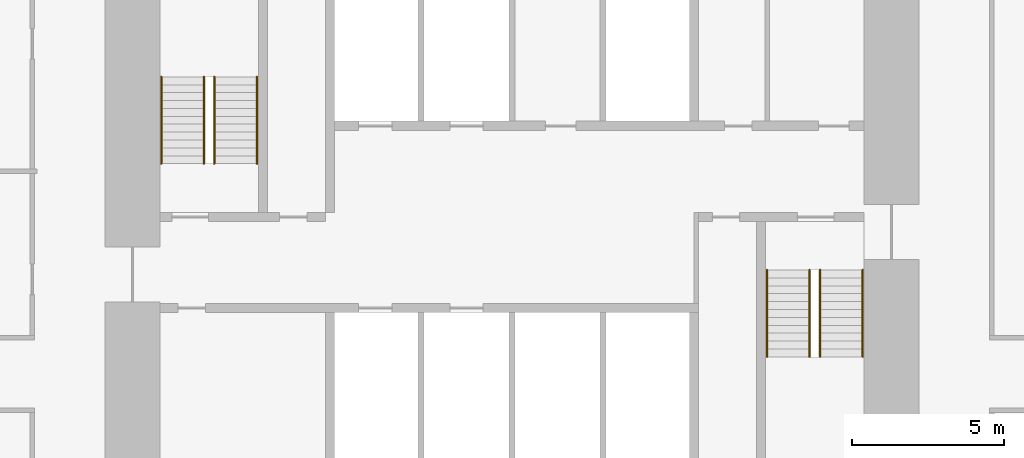
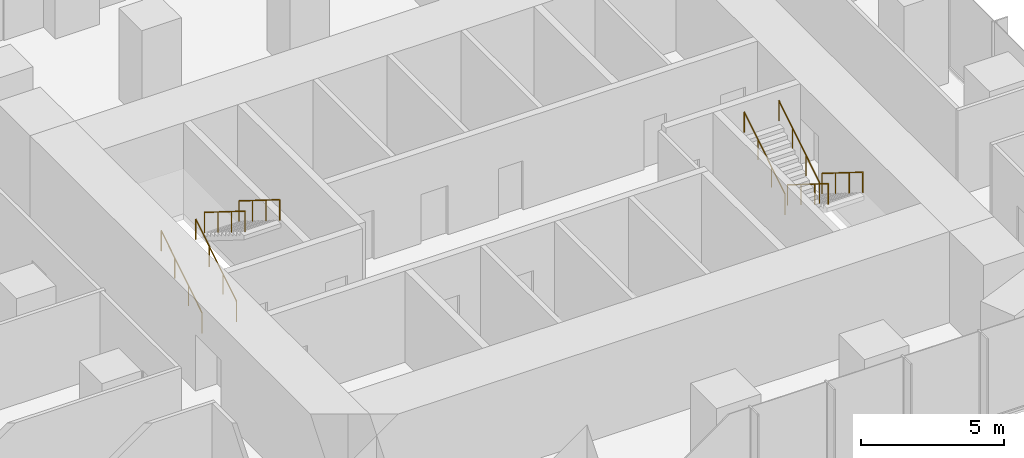
# One storey, part 11 of 11: 8 railings.
"""IFC4 building model written with IfcOpenShell, lengths in metres."""

from ifc_helpers import new_model, si_unit, direction, frame, origin, origin_2d, place, context, subcontext, project, spatial, circle, extrude, material, type_object, element, save


model = new_model("IFC4")

# Units and contexts
model_context = context("Model", 3, precision=1e-05, world=origin(), true_north=direction((0.0, 1.0)))
body_context = subcontext(model_context, "Body", "Model", "MODEL_VIEW")
ifc_project = project(units=[si_unit("LENGTHUNIT", "METRE"), si_unit("AREAUNIT", "SQUARE_METRE"), si_unit("VOLUMEUNIT", "CUBIC_METRE"), si_unit("PLANEANGLEUNIT", "RADIAN"), si_unit("MASSUNIT", "GRAM", prefix="KILO")], contexts=[model_context])

# Site, building, storey
site_placement = place(None, origin())
site = spatial("IfcSite", under=ifc_project, at=site_placement, CompositionType="ELEMENT")
building_placement = place(site_placement, origin())
building = spatial("IfcBuilding", under=site, at=building_placement, Name="Highveld Stack Headquarters", CompositionType="ELEMENT")
storey_placement = place(building_placement, frame((0.0, 0.0, 97.699951171875)))
storey = spatial("IfcBuildingStorey", under=building, at=storey_placement, Name="L23", CompositionType="ELEMENT", Elevation=97.699951171875)

# Railings
ifc_material = material(Name="Stainless steel handrail", Category="steel")
railing_type = type_object("IfcRailingType", Name="STAIR HANDRAIL HR1 900", PredefinedType="HANDRAIL", material=ifc_material)
for number, where, name in (
    (1, (-5.550048828125, 4.75, 0.16259765625), "Handrail S1 L23 flight 1"),
    (2, (-4.14990234375, 4.75, 0.16259765625), "Handrail S1 L23 flight 1"),
):
    element("IfcRailing", number, at=place(storey_placement, frame(where)), inside=storey, type_object=railing_type, Name=name, PredefinedType="HANDRAIL", context=body_context, shape_type="SweptSolid", body=[
        extrude(circle(Radius=0.02392578125, at=origin_2d()), frame((0.0, 0.0, 0.8759765625), z_axis=(0.0, 0.848026770018, 0.529953391661), x_axis=(-1.0, 0.0, 0.0)), (0.0, 0.0, 1.0), 3.37255859375),
        extrude(circle(Radius=0.02099609375, at=origin_2d()), origin(), (0.0, 0.0, 1.0), 0.851806640625),
        extrude(circle(Radius=0.02099609375, at=origin_2d()), frame((0.0, 0.953369140625, 0.595703125)), (0.0, 0.0, 1.0), 0.851806640625),
        extrude(circle(Radius=0.02099609375, at=origin_2d()), frame((0.0, 1.90673828125, 1.191650390625)), (0.0, 0.0, 1.0), 0.851806640625),
        extrude(circle(Radius=0.02099609375, at=origin_2d()), frame((0.0, 2.860107421875, 1.787353515625)), (0.0, 0.0, 1.0), 0.851806640625),
    ])
for number, where, name in (
    (3, (-3.800048828125, 7.610107421875, 2.112548828125), "Handrail S1 L23 flight 2"),
    (4, (-2.39990234375, 7.610107421875, 2.112548828125), "Handrail S1 L23 flight 2"),
):
    element("IfcRailing", number, at=place(storey_placement, frame(where)), inside=storey, type_object=railing_type, Name=name, PredefinedType="HANDRAIL", context=body_context, shape_type="SweptSolid", body=[
        extrude(circle(Radius=0.02392578125, at=origin_2d()), frame((0.0, 0.0, 0.8759765625), z_axis=(0.0, -0.847994237388, 0.530005446535), x_axis=(1.0, 0.0, 0.0)), (0.0, 0.0, 1.0), 3.372802734375),
        extrude(circle(Radius=0.02099609375, at=origin_2d()), origin(), (0.0, 0.0, 1.0), 0.851806640625),
        extrude(circle(Radius=0.02099609375, at=origin_2d()), frame((0.0, -0.953369140625, 0.595947265625)), (0.0, 0.0, 1.0), 0.851806640625),
        extrude(circle(Radius=0.02099609375, at=origin_2d()), frame((0.0, -1.90673828125, 1.191650390625)), (0.0, 0.0, 1.0), 0.851806640625),
        extrude(circle(Radius=0.02099609375, at=origin_2d()), frame((0.0, -2.860107421875, 1.78759765625)), (0.0, 0.0, 1.0), 0.851806640625),
    ])
for number, where, name in (
    (5, (16.14990234375, 1.25, 0.16259765625), "Handrail S2 L23 flight 1"),
    (6, (17.550048828125, 1.25, 0.16259765625), "Handrail S2 L23 flight 1"),
):
    element("IfcRailing", number, at=place(storey_placement, frame(where)), inside=storey, type_object=railing_type, Name=name, PredefinedType="HANDRAIL", context=body_context, shape_type="SweptSolid", body=[
        extrude(circle(Radius=0.02392578125, at=origin_2d()), frame((0.0, 0.0, 0.8759765625), z_axis=(0.0, -0.848026770018, 0.529953391661), x_axis=(1.0, 0.0, 0.0)), (0.0, 0.0, 1.0), 3.37255859375),
        extrude(circle(Radius=0.02099609375, at=origin_2d()), origin(), (0.0, 0.0, 1.0), 0.851806640625),
        extrude(circle(Radius=0.02099609375, at=origin_2d()), frame((0.0, -0.953369140625, 0.595703125)), (0.0, 0.0, 1.0), 0.851806640625),
        extrude(circle(Radius=0.02099609375, at=origin_2d()), frame((0.0, -1.90673828125, 1.191650390625)), (0.0, 0.0, 1.0), 0.851806640625),
        extrude(circle(Radius=0.02099609375, at=origin_2d()), frame((0.0, -2.860107421875, 1.787353515625)), (0.0, 0.0, 1.0), 0.851806640625),
    ])
for number, where, name in (
    (7, (14.39990234375, -1.610107421875, 2.112548828125), "Handrail S2 L23 flight 2"),
    (8, (15.800048828125, -1.610107421875, 2.112548828125), "Handrail S2 L23 flight 2"),
):
    element("IfcRailing", number, at=place(storey_placement, frame(where)), inside=storey, type_object=railing_type, Name=name, PredefinedType="HANDRAIL", context=body_context, shape_type="SweptSolid", body=[
        extrude(circle(Radius=0.02392578125, at=origin_2d()), frame((0.0, 0.0, 0.8759765625), z_axis=(0.0, 0.847994237388, 0.530005446535), x_axis=(-1.0, 0.0, 0.0)), (0.0, 0.0, 1.0), 3.372802734375),
        extrude(circle(Radius=0.02099609375, at=origin_2d()), origin(), (0.0, 0.0, 1.0), 0.851806640625),
        extrude(circle(Radius=0.02099609375, at=origin_2d()), frame((0.0, 0.953369140625, 0.595947265625)), (0.0, 0.0, 1.0), 0.851806640625),
        extrude(circle(Radius=0.02099609375, at=origin_2d()), frame((0.0, 1.90673828125, 1.191650390625)), (0.0, 0.0, 1.0), 0.851806640625),
        extrude(circle(Radius=0.02099609375, at=origin_2d()), frame((0.0, 2.860107421875, 1.78759765625)), (0.0, 0.0, 1.0), 0.851806640625),
    ])

save(model, "model.ifc")
